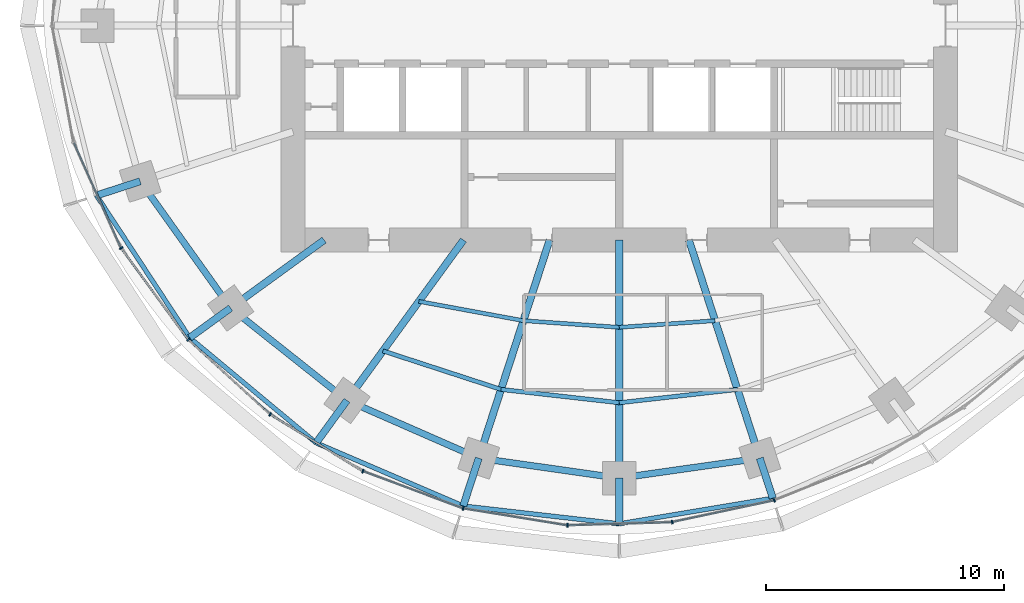
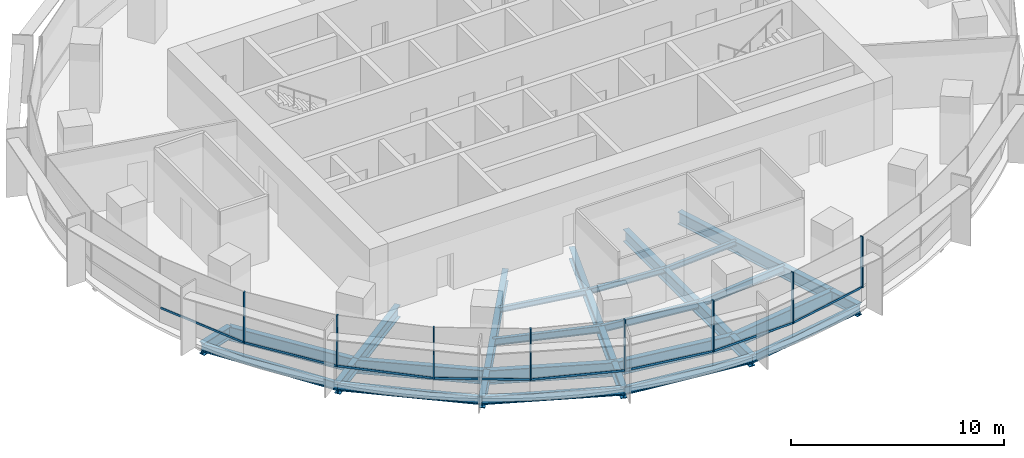
# One storey, part 2 of 14: 27 beams, 16 members, 2 elements without a shape of their own.
"""IFC4 building model written with IfcOpenShell, lengths in metres."""

from ifc_helpers import new_model, si_unit, direction, frame, origin, origin_2d, place, context, subcontext, project, spatial, rectangle, i_section, extrude, material, material_profile, profile_set, type_object, element, aggregate, save


model = new_model("IFC4")

# Units and contexts
model_context = context("Model", 3, precision=1e-05, world=origin(), true_north=direction((0.0, 1.0)))
body_context = subcontext(model_context, "Body", "Model", "MODEL_VIEW")
ifc_project = project(units=[si_unit("LENGTHUNIT", "METRE"), si_unit("AREAUNIT", "SQUARE_METRE"), si_unit("VOLUMEUNIT", "CUBIC_METRE"), si_unit("PLANEANGLEUNIT", "RADIAN"), si_unit("MASSUNIT", "GRAM", prefix="KILO")], contexts=[model_context])

# Site, building, storey
site_placement = place(None, origin())
site = spatial("IfcSite", under=ifc_project, at=site_placement, CompositionType="ELEMENT")
building_placement = place(site_placement, origin())
building = spatial("IfcBuilding", under=site, at=building_placement, Name="Marramba Exchange Tower", CompositionType="ELEMENT")
storey_placement = place(building_placement, frame((0.0, 0.0, 222.800048828125)))
storey = spatial("IfcBuildingStorey", under=building, at=storey_placement, Name="L54", CompositionType="ELEMENT", Elevation=222.800048828125)

# Beams
ifc_material_1 = material(Name="Steel AS/NZS 3679.2 grade 300", Category="steel")
ifc_material_profile_1 = material_profile(ifc_material_1, i_section(OverallWidth=0.300048828125, OverallDepth=0.699951171875, WebThickness=0.010009765625, FlangeThickness=0.031982421875, at=origin_2d()), Name="700WB173")
ifc_profile_set_1 = profile_set([ifc_material_profile_1], Name="Steel AS/NZS 3679.2 grade 300")
beam_type_1 = type_object("IfcBeamType", Name="Cantilever girder 700WB173", PredefinedType="BEAM", material=ifc_profile_set_1)
beam_1_placement = place(storey_placement, frame((-20.109375, -6.533935546875, -0.510009765625), z_axis=(-0.951071238541, -0.308971680287, 0.0), x_axis=(0.308971680287, -0.951071238541, 0.0)))
element("IfcBeam", 1, at=beam_1_placement, inside=storey, type_object=beam_type_1, Name="Cantilever girder L54 TC12", PredefinedType="BEAM", context=body_context, shape_type="SweptSolid", body=[
    extrude(i_section(OverallWidth=0.300048828125, OverallDepth=0.699951171875, WebThickness=0.010009765625, FlangeThickness=0.031982421875, at=origin_2d()), origin(), (0.0, 0.0, 1.0), 1.930419921875),
])
beam_2_placement = place(storey_placement, frame((-16.3154296875, -11.853759765625, -0.510009765625), z_axis=(-0.808969966943, -0.587849974555, 0.0), x_axis=(0.587849974555, -0.808969966943, 0.0)))
element("IfcBeam", 2, at=beam_2_placement, inside=storey, type_object=beam_type_1, Name="Cantilever girder L54 TC13", PredefinedType="BEAM", context=body_context, shape_type="SweptSolid", body=[
    extrude(i_section(OverallWidth=0.300048828125, OverallDepth=0.699951171875, WebThickness=0.010009765625, FlangeThickness=0.031982421875, at=origin_2d()), origin(), (0.0, 0.0, 1.0), 2.12109375),
])
beam_3_placement = place(storey_placement, frame((-11.430419921875, -15.732666015625, -0.510009765625), z_axis=(-0.587789596657, -0.809013837992, 0.0), x_axis=(0.809013837992, -0.587789596657, 0.0)))
element("IfcBeam", 3, at=beam_3_placement, inside=storey, type_object=beam_type_1, Name="Cantilever girder L54 TC14", PredefinedType="BEAM", context=body_context, shape_type="SweptSolid", body=[
    extrude(i_section(OverallWidth=0.300048828125, OverallDepth=0.699951171875, WebThickness=0.010009765625, FlangeThickness=0.031982421875, at=origin_2d()), origin(), (0.0, 0.0, 1.0), 2.203857421875),
])
beam_4_placement = place(storey_placement, frame((-5.899658203125, -18.156982421875, -0.510009765625), z_axis=(-0.308971068529, -0.951071437281, 0.0), x_axis=(0.951071437281, -0.308971068529, 0.0)))
element("IfcBeam", 4, at=beam_4_placement, inside=storey, type_object=beam_type_1, Name="Cantilever girder L54 TC15", PredefinedType="BEAM", context=body_context, shape_type="SweptSolid", body=[
    extrude(i_section(OverallWidth=0.300048828125, OverallDepth=0.699951171875, WebThickness=0.010009765625, FlangeThickness=0.031982421875, at=origin_2d()), origin(), (0.0, 0.0, 1.0), 2.112060546875),
])
beam_5_placement = place(storey_placement, frame((0.0, -18.99609375, -0.510009765625), z_axis=(0.0, -1.0, 0.0), x_axis=(1.0, 0.0, 0.0)))
element("IfcBeam", 5, at=beam_5_placement, inside=storey, type_object=beam_type_1, Name="Cantilever girder L54 TC16", PredefinedType="BEAM", context=body_context, shape_type="SweptSolid", body=[
    extrude(i_section(OverallWidth=0.300048828125, OverallDepth=0.699951171875, WebThickness=0.010009765625, FlangeThickness=0.031982421875, at=origin_2d()), origin(), (0.0, 0.0, 1.0), 1.917724609375),
])
beam_6_placement = place(storey_placement, frame((5.899658203125, -18.156982421875, -0.510009765625), z_axis=(0.308926813415, -0.951085813138, 0.0), x_axis=(0.951085813138, 0.308926813415, 0.0)))
element("IfcBeam", 6, at=beam_6_placement, inside=storey, type_object=beam_type_1, Name="Cantilever girder L54 TC17", PredefinedType="BEAM", context=body_context, shape_type="SweptSolid", body=[
    extrude(i_section(OverallWidth=0.300048828125, OverallDepth=0.699951171875, WebThickness=0.010009765625, FlangeThickness=0.031982421875, at=origin_2d()), origin(), (0.0, 0.0, 1.0), 1.767822265625),
])
ifc_material_2 = material(Name="Steel AS/NZS 3679.1 grade 300", Category="steel")
ifc_material_profile_2 = material_profile(ifc_material_2, i_section(OverallWidth=0.166015625, OverallDepth=0.306884765625, WebThickness=0.006591796875, FlangeThickness=0.01171875, FilletRadius=0.011474609375, at=origin_2d()), Name="310UB46.2")
ifc_profile_set_2 = profile_set([ifc_material_profile_2], Name="Steel AS/NZS 3679.1 grade 300")
beam_type_2 = type_object("IfcBeamType", Name="Floor joist 310UB46.2", PredefinedType="JOIST", material=ifc_profile_set_2)
beam_7_placement = place(storey_placement, frame((-8.41162109375, -11.57763671875, -0.3134765625), z_axis=(0.983455754421, -0.181148500119, 0.0), x_axis=(0.181148500119, 0.983455754421, 0.0)))
element("IfcBeam", 7, at=beam_7_placement, inside=storey, type_object=beam_type_2, Name="Joist L54 bay 14 row 1", PredefinedType="JOIST", context=body_context, shape_type="SweptSolid", body=[
    extrude(i_section(OverallWidth=0.166015625, OverallDepth=0.306884765625, WebThickness=0.006591796875, FlangeThickness=0.01171875, FilletRadius=0.011474609375, at=origin_2d()), origin(), (0.0, 0.0, 1.0), 4.4609375),
])
for number, where, z_axis, x_axis, name in (
    (8, (-4.0244140625, -12.3857421875, -0.3134765625), (0.99759625901, -0.069294328838, 0.0), (0.069294328838, 0.99759625901, 0.0), "Joist L54 bay 15 row 1"),
    (9, (0.0, -12.665283203125, -0.3134765625), (0.99759625901, 0.069294328838, 0.0), (-0.069294328838, 0.99759625901, 0.0), "Joist L54 bay 16 row 1"),
):
    element("IfcBeam", number, at=place(storey_placement, frame(where, z_axis=z_axis, x_axis=x_axis)), inside=storey, type_object=beam_type_2, Name=name, PredefinedType="JOIST", context=body_context, shape_type="SweptSolid", body=[
        extrude(i_section(OverallWidth=0.166015625, OverallDepth=0.306884765625, WebThickness=0.006591796875, FlangeThickness=0.01171875, FilletRadius=0.011474609375, at=origin_2d()), origin(), (0.0, 0.0, 1.0), 4.0341796875),
    ])
ifc_material_profile_3 = material_profile(ifc_material_2, i_section(OverallWidth=0.177978515625, OverallDepth=0.406005859375, WebThickness=0.0078125, FlangeThickness=0.0126953125, FilletRadius=0.011474609375, at=origin_2d()), Name="410UB59.7")
ifc_profile_set_3 = profile_set([ifc_material_profile_3], Name="Steel AS/NZS 3679.1 grade 300")
beam_type_3 = type_object("IfcBeamType", Name="Floor joist 410UB59.7", PredefinedType="JOIST", material=ifc_profile_set_3)
beam_8_placement = place(storey_placement, frame((-9.9208984375, -13.655029296875, -0.363037109375), z_axis=(0.950764024931, -0.309915744834, 0.0), x_axis=(0.309915744834, 0.950764024931, 0.0)))
element("IfcBeam", 10, at=beam_8_placement, inside=storey, type_object=beam_type_3, Name="Joist L54 bay 14 row 2", PredefinedType="JOIST", context=body_context, shape_type="SweptSolid", body=[
    extrude(i_section(OverallWidth=0.177978515625, OverallDepth=0.406005859375, WebThickness=0.0078125, FlangeThickness=0.0126953125, FilletRadius=0.011474609375, at=origin_2d()), origin(), (0.0, 0.0, 1.0), 5.2158203125),
])
for number, where, z_axis, x_axis, name in (
    (11, (-4.9619140625, -15.271484375, -0.363037109375), (0.993712018573, -0.111966174106, 0.0), (0.111966174106, 0.993712018573, 0.0), "Joist L54 bay 15 row 2"),
    (12, (0.0, -15.83056640625, -0.363037109375), (0.993712018573, 0.111966174106, 0.0), (-0.111966174106, 0.993712018573, 0.0), "Joist L54 bay 16 row 2"),
):
    element("IfcBeam", number, at=place(storey_placement, frame(where, z_axis=z_axis, x_axis=x_axis)), inside=storey, type_object=beam_type_3, Name=name, PredefinedType="JOIST", context=body_context, shape_type="SweptSolid", body=[
        extrude(i_section(OverallWidth=0.177978515625, OverallDepth=0.406005859375, WebThickness=0.0078125, FlangeThickness=0.0126953125, FilletRadius=0.011474609375, at=origin_2d()), origin(), (0.0, 0.0, 1.0), 4.993408203125),
    ])

# Curtain wall, members
ifc_material_3 = material(Name="Aluminium framing, bronze anodised", Category="aluminium")
curtain_wall_type = type_object("IfcCurtainWallType", Name="Office ribbon curtain wall", PredefinedType="USERDEFINED", material=ifc_material_3)
curtain_wall_1_placement = place(storey_placement, origin())
curtain_wall_1 = element("IfcCurtainWall", 13, at=curtain_wall_1_placement, inside=storey, type_object=curtain_wall_type, Name="Curtain wall CW4 L54 F16-F20", ObjectType="RIBBON CURTAIN WALL", PredefinedType="USERDEFINED")
ifc_material_4 = material(Name="Aluminium mullion, bronze anodised", Category="aluminium")
ifc_material_profile_4 = material_profile(ifc_material_4, rectangle(XDim=0.159912109375, YDim=0.06005859375, at=origin_2d()), Name="CW4 mullion 60x160")
ifc_profile_set_4 = profile_set([ifc_material_profile_4], Name="Aluminium mullion, bronze anodised")
member_type_1 = type_object("IfcMemberType", Name="Office ribbon curtain wall mullion", PredefinedType="MULLION", material=ifc_profile_set_4)
member_1_placement = place(storey_placement, frame((-20.910400390625, -9.342041015625, 0.800048828125), z_axis=(0.0, 0.0, 1.0), x_axis=(0.806508054547, 0.591223103363, 0.0)))
member_1 = element("IfcMember", 14, at=member_1_placement, type_object=member_type_1, Name="CW4 mullion 1", PredefinedType="MULLION", context=body_context, shape_type="SweptSolid", body=[
    extrude(rectangle(XDim=0.159912109375, YDim=0.06005859375, at=origin_2d()), origin(), (0.0, 0.0, 1.0), 2.93994140625),
])
member_2_placement = place(storey_placement, frame((-18.090087890625, -13.179443359375, 0.800048828125), z_axis=(0.0, 0.0, 1.0), x_axis=(0.67567103474, 0.737203264245, 0.0)))
member_2 = element("IfcMember", 15, at=member_2_placement, type_object=member_type_1, Name="CW4 mullion 1", PredefinedType="MULLION", context=body_context, shape_type="SweptSolid", body=[
    extrude(rectangle(XDim=0.159912109375, YDim=0.06005859375, at=origin_2d()), origin(), (0.0, 0.0, 1.0), 2.93994140625),
])
member_3_placement = place(storey_placement, frame((-14.655029296875, -16.320068359375, 0.800048828125), z_axis=(0.0, 0.0, 1.0), x_axis=(0.52305160869, 0.85230101176, 0.0)))
member_3 = element("IfcMember", 16, at=member_3_placement, type_object=member_type_1, Name="CW4 mullion 1", PredefinedType="MULLION", context=body_context, shape_type="SweptSolid", body=[
    extrude(rectangle(XDim=0.159912109375, YDim=0.06005859375, at=origin_2d()), origin(), (0.0, 0.0, 1.0), 2.93994140625),
])

curtain_wall_2_placement = place(storey_placement, origin())
curtain_wall_2 = element("IfcCurtainWall", 17, at=curtain_wall_2_placement, inside=storey, type_object=curtain_wall_type, Name="Curtain wall CW4 L54 F21-F25", ObjectType="RIBBON CURTAIN WALL", PredefinedType="USERDEFINED")
member_4_placement = place(storey_placement, frame((-10.76318359375, -18.70166015625, 0.800048828125), z_axis=(0.0, 0.0, 1.0), x_axis=(0.349459197687, 0.936951583142, 0.0)))
member_4 = element("IfcMember", 18, at=member_4_placement, type_object=member_type_1, Name="CW4 mullion 1", PredefinedType="MULLION", context=body_context, shape_type="SweptSolid", body=[
    extrude(rectangle(XDim=0.159912109375, YDim=0.06005859375, at=origin_2d()), origin(), (0.0, 0.0, 1.0), 2.93994140625),
])
member_5_placement = place(storey_placement, frame((-6.553466796875, -20.265625, 0.800048828125), z_axis=(0.0, 0.0, 1.0), x_axis=(0.161145726194, 0.986930623159, 0.0)))
member_5 = element("IfcMember", 19, at=member_5_placement, type_object=member_type_1, Name="CW4 mullion 1", PredefinedType="MULLION", context=body_context, shape_type="SweptSolid", body=[
    extrude(rectangle(XDim=0.159912109375, YDim=0.06005859375, at=origin_2d()), origin(), (0.0, 0.0, 1.0), 2.93994140625),
])
member_6_placement = place(storey_placement, frame((-2.174560546875, -20.974853515625, 0.800048828125), z_axis=(0.0, 0.0, 1.0), x_axis=(-0.029393451762, 0.99956791915, 0.0)))
member_6 = element("IfcMember", 20, at=member_6_placement, type_object=member_type_1, Name="CW4 mullion 1", PredefinedType="MULLION", context=body_context, shape_type="SweptSolid", body=[
    extrude(rectangle(XDim=0.159912109375, YDim=0.06005859375, at=origin_2d()), origin(), (0.0, 0.0, 1.0), 2.93994140625),
])
member_7_placement = place(storey_placement, frame((2.220458984375, -20.840087890625, 0.800048828125), z_axis=(0.0, 0.0, 1.0), x_axis=(-0.208332456608, 0.978058069607, 0.0)))
member_7 = element("IfcMember", 21, at=member_7_placement, type_object=member_type_1, Name="CW4 mullion 1", PredefinedType="MULLION", context=body_context, shape_type="SweptSolid", body=[
    extrude(rectangle(XDim=0.159912109375, YDim=0.06005859375, at=origin_2d()), origin(), (0.0, 0.0, 1.0), 2.93994140625),
])
member_8_placement = place(storey_placement, frame((6.504638671875, -19.922607421875, 0.800048828125), z_axis=(0.0, 0.0, 1.0), x_axis=(-0.367374724195, 0.93007301435, 0.0)))
member_8 = element("IfcMember", 22, at=member_8_placement, type_object=member_type_1, Name="CW4 mullion 1", PredefinedType="MULLION", context=body_context, shape_type="SweptSolid", body=[
    extrude(rectangle(XDim=0.159912109375, YDim=0.06005859375, at=origin_2d()), origin(), (0.0, 0.0, 1.0), 2.93994140625),
])

# Member
ifc_material_5 = material(Name="Aluminium transom, bronze anodised", Category="aluminium")
ifc_material_profile_5 = material_profile(ifc_material_5, rectangle(XDim=0.06005859375, YDim=0.1201171875, at=origin_2d()), Name="CW4 transom 60x120")
ifc_profile_set_5 = profile_set([ifc_material_profile_5], Name="Aluminium transom, bronze anodised")
member_type_2 = type_object("IfcMemberType", Name="Office ribbon curtain wall transom", PredefinedType="USERDEFINED", material=ifc_profile_set_5)
member_9_placement = place(storey_placement, frame((-22.888671875, -4.925048828125, 0.829833984375), z_axis=(0.407541263131, -0.913186792965, 0.0), x_axis=(0.913186792965, 0.407541263131, 0.0)))
member_9 = element("IfcMember", 23, at=member_9_placement, type_object=member_type_2, Name="CW4 sill transom", ObjectType="TRANSOM", PredefinedType="USERDEFINED", context=body_context, shape_type="SweptSolid", body=[
    extrude(rectangle(XDim=0.06005859375, YDim=0.1201171875, at=origin_2d()), origin(), (0.0, 0.0, 1.0), 4.810546875),
])

member_10_placement = place(storey_placement, frame((-20.892578125, -9.3662109375, 0.829833984375), z_axis=(0.591226373184, -0.806505657545, 0.0), x_axis=(0.806505657545, 0.591226373184, 0.0)))
member_10 = element("IfcMember", 24, at=member_10_placement, type_object=member_type_2, Name="CW4 sill transom", ObjectType="TRANSOM", PredefinedType="USERDEFINED", context=body_context, shape_type="SweptSolid", body=[
    extrude(rectangle(XDim=0.06005859375, YDim=0.1201171875, at=origin_2d()), origin(), (0.0, 0.0, 1.0), 4.702880859375),
])

member_11_placement = place(storey_placement, frame((-18.06787109375, -13.19970703125, 0.829833984375), z_axis=(0.737176195283, -0.675700567639, 0.0), x_axis=(0.675700567639, 0.737176195283, 0.0)))
member_11 = element("IfcMember", 25, at=member_11_placement, type_object=member_type_2, Name="CW4 sill transom", ObjectType="TRANSOM", PredefinedType="USERDEFINED", context=body_context, shape_type="SweptSolid", body=[
    extrude(rectangle(XDim=0.06005859375, YDim=0.1201171875, at=origin_2d()), origin(), (0.0, 0.0, 1.0), 4.5947265625),
])

member_12_placement = place(storey_placement, frame((-14.62939453125, -16.335693359375, 0.829833984375), z_axis=(0.852298011003, -0.523056498325, 0.0), x_axis=(0.523056498325, 0.852298011003, 0.0)))
member_12 = element("IfcMember", 26, at=member_12_placement, type_object=member_type_2, Name="CW4 sill transom", ObjectType="TRANSOM", PredefinedType="USERDEFINED", context=body_context, shape_type="SweptSolid", body=[
    extrude(rectangle(XDim=0.06005859375, YDim=0.1201171875, at=origin_2d()), origin(), (0.0, 0.0, 1.0), 4.503173828125),
])

aggregate(curtain_wall_1, [member_9, member_1, member_10, member_2, member_11, member_3, member_12])

member_13_placement = place(storey_placement, frame((-10.735107421875, -18.712158203125, 0.829833984375), z_axis=(0.936954830677, -0.349450490444, 0.0), x_axis=(0.349450490444, 0.936954830677, 0.0)))
member_13 = element("IfcMember", 27, at=member_13_placement, type_object=member_type_2, Name="CW4 sill transom", ObjectType="TRANSOM", PredefinedType="USERDEFINED", context=body_context, shape_type="SweptSolid", body=[
    extrude(rectangle(XDim=0.06005859375, YDim=0.1201171875, at=origin_2d()), origin(), (0.0, 0.0, 1.0), 4.431396484375),
])

member_14_placement = place(storey_placement, frame((-6.52392578125, -20.2705078125, 0.829833984375), z_axis=(0.986937225488, -0.161105285282, 0.0), x_axis=(0.161105285282, 0.986937225488, 0.0)))
member_14 = element("IfcMember", 28, at=member_14_placement, type_object=member_type_2, Name="CW4 sill transom", ObjectType="TRANSOM", PredefinedType="USERDEFINED", context=body_context, shape_type="SweptSolid", body=[
    extrude(rectangle(XDim=0.06005859375, YDim=0.1201171875, at=origin_2d()), origin(), (0.0, 0.0, 1.0), 4.37646484375),
])

member_15_placement = place(storey_placement, frame((-2.144775390625, -20.973876953125, 0.829833984375), z_axis=(0.999568338005, 0.029379204529, 0.0), x_axis=(-0.029379204529, 0.999568338005, 0.0)))
member_15 = element("IfcMember", 29, at=member_15_placement, type_object=member_type_2, Name="CW4 sill transom", ObjectType="TRANSOM", PredefinedType="USERDEFINED", context=body_context, shape_type="SweptSolid", body=[
    extrude(rectangle(XDim=0.06005859375, YDim=0.1201171875, at=origin_2d()), origin(), (0.0, 0.0, 1.0), 4.337890625),
])

member_16_placement = place(storey_placement, frame((2.249755859375, -20.833984375, 0.829833984375), z_axis=(0.978057951839, 0.208333009494, 0.0), x_axis=(-0.208333009494, 0.978057951839, 0.0)))
member_16 = element("IfcMember", 30, at=member_16_placement, type_object=member_type_2, Name="CW4 sill transom", ObjectType="TRANSOM", PredefinedType="USERDEFINED", context=body_context, shape_type="SweptSolid", body=[
    extrude(rectangle(XDim=0.06005859375, YDim=0.1201171875, at=origin_2d()), origin(), (0.0, 0.0, 1.0), 4.32177734375),
])

aggregate(curtain_wall_2, [member_4, member_13, member_5, member_14, member_6, member_15, member_7, member_16, member_8])

# Beams
ifc_material_profile_6 = material_profile(ifc_material_1, i_section(OverallWidth=0.300048828125, OverallDepth=0.699951171875, WebThickness=0.010009765625, FlangeThickness=0.031982421875, at=origin_2d()), Name="700WB173")
ifc_profile_set_6 = profile_set([ifc_material_profile_6], Name="Steel AS/NZS 3679.2 grade 300")
beam_type_4 = type_object("IfcBeamType", Name="Radial girder 700WB173", PredefinedType="BEAM", material=ifc_profile_set_6)
beam_9_placement = place(storey_placement, frame((-12.387451171875, -9.0, -0.510009765625), z_axis=(-0.809025189606, -0.58777397236, 0.0), x_axis=(0.58777397236, -0.809025189606, 0.0)))
element("IfcBeam", 31, at=beam_9_placement, inside=storey, type_object=beam_type_4, Name="Radial girder L54 TC13", PredefinedType="BEAM", context=body_context, shape_type="SweptSolid", body=[
    extrude(i_section(OverallWidth=0.300048828125, OverallDepth=0.699951171875, WebThickness=0.010009765625, FlangeThickness=0.031982421875, at=origin_2d()), origin(), (0.0, 0.0, 1.0), 4.855224609375),
])
beam_10_placement = place(storey_placement, frame((-6.538818359375, -9.0, -0.510009765625), z_axis=(-0.587787877172, -0.809015087282, 0.0), x_axis=(0.809015087282, -0.587787877172, 0.0)))
element("IfcBeam", 32, at=beam_10_placement, inside=storey, type_object=beam_type_4, Name="Radial girder L54 TC14", PredefinedType="BEAM", context=body_context, shape_type="SweptSolid", body=[
    extrude(i_section(OverallWidth=0.300048828125, OverallDepth=0.699951171875, WebThickness=0.010009765625, FlangeThickness=0.031982421875, at=origin_2d()), origin(), (0.0, 0.0, 1.0), 8.322021484375),
])
beam_11_placement = place(storey_placement, frame((-2.92431640625, -9.0, -0.510009765625), z_axis=(-0.309022428985, -0.951054750466, 0.0), x_axis=(0.951054750466, -0.309022428985, 0.0)))
element("IfcBeam", 33, at=beam_11_placement, inside=storey, type_object=beam_type_4, Name="Radial girder L54 TC15", PredefinedType="BEAM", context=body_context, shape_type="SweptSolid", body=[
    extrude(i_section(OverallWidth=0.300048828125, OverallDepth=0.699951171875, WebThickness=0.010009765625, FlangeThickness=0.031982421875, at=origin_2d()), origin(), (0.0, 0.0, 1.0), 9.628173828125),
])
beam_12_placement = place(storey_placement, frame((0.0, -9.0, -0.510009765625), z_axis=(0.0, -1.0, 0.0), x_axis=(1.0, 0.0, 0.0)))
element("IfcBeam", 34, at=beam_12_placement, inside=storey, type_object=beam_type_4, Name="Radial girder L54 TC16", PredefinedType="BEAM", context=body_context, shape_type="SweptSolid", body=[
    extrude(i_section(OverallWidth=0.300048828125, OverallDepth=0.699951171875, WebThickness=0.010009765625, FlangeThickness=0.031982421875, at=origin_2d()), origin(), (0.0, 0.0, 1.0), 9.99609375),
])
beam_13_placement = place(storey_placement, frame((2.92431640625, -9.0, -0.510009765625), z_axis=(0.309022428985, -0.951054750466, 0.0), x_axis=(0.951054750466, 0.309022428985, 0.0)))
element("IfcBeam", 35, at=beam_13_placement, inside=storey, type_object=beam_type_4, Name="Radial girder L54 TC17", PredefinedType="BEAM", context=body_context, shape_type="SweptSolid", body=[
    extrude(i_section(OverallWidth=0.300048828125, OverallDepth=0.699951171875, WebThickness=0.010009765625, FlangeThickness=0.031982421875, at=origin_2d()), origin(), (0.0, 0.0, 1.0), 9.628173828125),
])
ifc_material_profile_7 = material_profile(ifc_material_1, i_section(OverallWidth=0.27490234375, OverallDepth=0.800048828125, WebThickness=0.010009765625, FlangeThickness=0.02490234375, at=origin_2d()), Name="800WB168")
ifc_profile_set_7 = profile_set([ifc_material_profile_7], Name="Steel AS/NZS 3679.2 grade 300")
beam_type_5 = type_object("IfcBeamType", Name="Ring beam 800WB168", PredefinedType="SPANDREL", material=ifc_profile_set_7)
beam_14_placement = place(storey_placement, frame((-20.109375, -6.533935546875, -0.56005859375), z_axis=(0.580637181111, -0.814162430914, 0.0), x_axis=(0.814162430914, 0.580637181111, 0.0)))
element("IfcBeam", 36, at=beam_14_placement, inside=storey, type_object=beam_type_5, Name="Ring beam L54 TC12-TC13", PredefinedType="SPANDREL", context=body_context, shape_type="SweptSolid", body=[
    extrude(i_section(OverallWidth=0.27490234375, OverallDepth=0.800048828125, WebThickness=0.010009765625, FlangeThickness=0.02490234375, at=origin_2d()), origin(), (0.0, 0.0, 1.0), 6.5341796875),
])
beam_15_placement = place(storey_placement, frame((-16.3154296875, -11.853759765625, -0.56005859375), z_axis=(0.783139438128, -0.621846138887, 0.0), x_axis=(0.621846138887, 0.783139438128, 0.0)))
element("IfcBeam", 37, at=beam_15_placement, inside=storey, type_object=beam_type_5, Name="Ring beam L54 TC13-TC14", PredefinedType="SPANDREL", context=body_context, shape_type="SweptSolid", body=[
    extrude(i_section(OverallWidth=0.27490234375, OverallDepth=0.800048828125, WebThickness=0.010009765625, FlangeThickness=0.02490234375, at=origin_2d()), origin(), (0.0, 0.0, 1.0), 6.23779296875),
])
beam_16_placement = place(storey_placement, frame((-11.430419921875, -15.732666015625, -0.56005859375), z_axis=(0.915876892158, -0.4014592363, 0.0), x_axis=(0.4014592363, 0.915876892158, 0.0)))
element("IfcBeam", 38, at=beam_16_placement, inside=storey, type_object=beam_type_5, Name="Ring beam L54 TC14-TC15", PredefinedType="SPANDREL", context=body_context, shape_type="SweptSolid", body=[
    extrude(i_section(OverallWidth=0.27490234375, OverallDepth=0.800048828125, WebThickness=0.010009765625, FlangeThickness=0.02490234375, at=origin_2d()), origin(), (0.0, 0.0, 1.0), 6.038818359375),
])
for number, where, z_axis, x_axis, name in (
    (39, (-5.899658203125, -18.156982421875, -0.56005859375), (0.990036163016, -0.140813337152, 0.0), (0.140813337152, 0.990036163016, 0.0), "Ring beam L54 TC15-TC16"),
    (40, (0.0, -18.99609375, -0.56005859375), (0.990036163016, 0.140813337152, 0.0), (-0.140813337152, 0.990036163016, 0.0), "Ring beam L54 TC16-TC17"),
):
    element("IfcBeam", number, at=place(storey_placement, frame(where, z_axis=z_axis, x_axis=x_axis)), inside=storey, type_object=beam_type_5, Name=name, PredefinedType="SPANDREL", context=body_context, shape_type="SweptSolid", body=[
        extrude(i_section(OverallWidth=0.27490234375, OverallDepth=0.800048828125, WebThickness=0.010009765625, FlangeThickness=0.02490234375, at=origin_2d()), origin(), (0.0, 0.0, 1.0), 5.958984375),
    ])
ifc_material_profile_8 = material_profile(ifc_material_2, i_section(OverallWidth=0.19091796875, OverallDepth=0.4599609375, WebThickness=0.010009765625, FlangeThickness=0.01611328125, FilletRadius=0.011474609375, at=origin_2d()), Name="460UB82.1")
ifc_profile_set_8 = profile_set([ifc_material_profile_8], Name="Steel AS/NZS 3679.1 grade 300")
beam_type_6 = type_object("IfcBeamType", Name="Slab edge beam 460UB82.1", PredefinedType="SPANDREL", material=ifc_profile_set_8)
beam_17_placement = place(storey_placement, frame((-21.9453125, -7.13037109375, -0.39013671875), z_axis=(0.548275412052, -0.83629783722, 0.0), x_axis=(0.83629783722, 0.548275412052, 0.0)))
element("IfcBeam", 41, at=beam_17_placement, inside=storey, type_object=beam_type_6, Name="Slab edge beam L54 TC12-TC13", PredefinedType="SPANDREL", context=body_context, shape_type="SweptSolid", body=[
    extrude(i_section(OverallWidth=0.19091796875, OverallDepth=0.4599609375, WebThickness=0.010009765625, FlangeThickness=0.01611328125, FilletRadius=0.011474609375, at=origin_2d()), origin(), (0.0, 0.0, 1.0), 7.138916015625),
])
beam_18_placement = place(storey_placement, frame((-18.03125, -13.1005859375, -0.39013671875), z_axis=(0.768658895231, -0.639658895649, 0.0), x_axis=(0.639658895649, 0.768658895231, 0.0)))
element("IfcBeam", 42, at=beam_18_placement, inside=storey, type_object=beam_type_6, Name="Slab edge beam L54 TC13-TC14", PredefinedType="SPANDREL", context=body_context, shape_type="SweptSolid", body=[
    extrude(i_section(OverallWidth=0.19091796875, OverallDepth=0.4599609375, WebThickness=0.010009765625, FlangeThickness=0.01611328125, FilletRadius=0.011474609375, at=origin_2d()), origin(), (0.0, 0.0, 1.0), 6.902099609375),
])
beam_19_placement = place(storey_placement, frame((-12.725830078125, -17.515625, -0.39013671875), z_axis=(0.9189117964, -0.394463065999, 0.0), x_axis=(0.394463065999, 0.9189117964, 0.0)))
element("IfcBeam", 43, at=beam_19_placement, inside=storey, type_object=beam_type_6, Name="Slab edge beam L54 TC14-TC15", PredefinedType="SPANDREL", context=body_context, shape_type="SweptSolid", body=[
    extrude(i_section(OverallWidth=0.19091796875, OverallDepth=0.4599609375, WebThickness=0.010009765625, FlangeThickness=0.01611328125, FilletRadius=0.011474609375, at=origin_2d()), origin(), (0.0, 0.0, 1.0), 6.71826171875),
])
beam_20_placement = place(storey_placement, frame((-6.55224609375, -20.165771484375, -0.39013671875), z_axis=(0.993546030009, -0.113429653325, 0.0), x_axis=(0.113429653325, 0.993546030009, 0.0)))
element("IfcBeam", 44, at=beam_20_placement, inside=storey, type_object=beam_type_6, Name="Slab edge beam L54 TC15-TC16", PredefinedType="SPANDREL", context=body_context, shape_type="SweptSolid", body=[
    extrude(i_section(OverallWidth=0.19091796875, OverallDepth=0.4599609375, WebThickness=0.010009765625, FlangeThickness=0.01611328125, FilletRadius=0.011474609375, at=origin_2d()), origin(), (0.0, 0.0, 1.0), 6.5947265625),
])
beam_21_placement = place(storey_placement, frame((0.0, -20.913818359375, -0.39013671875), z_axis=(0.986365637189, 0.164568617219, 0.0), x_axis=(-0.164568617219, 0.986365637189, 0.0)))
element("IfcBeam", 45, at=beam_21_placement, inside=storey, type_object=beam_type_6, Name="Slab edge beam L54 TC16-TC17", PredefinedType="SPANDREL", context=body_context, shape_type="SweptSolid", body=[
    extrude(i_section(OverallWidth=0.19091796875, OverallDepth=0.4599609375, WebThickness=0.010009765625, FlangeThickness=0.01611328125, FilletRadius=0.011474609375, at=origin_2d()), origin(), (0.0, 0.0, 1.0), 6.534912109375),
])

save(model, "model.ifc")
